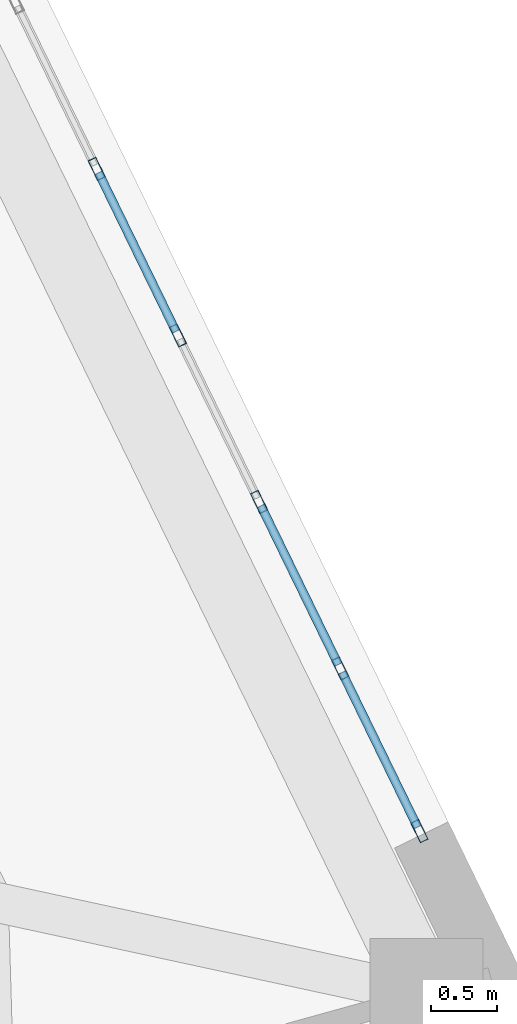
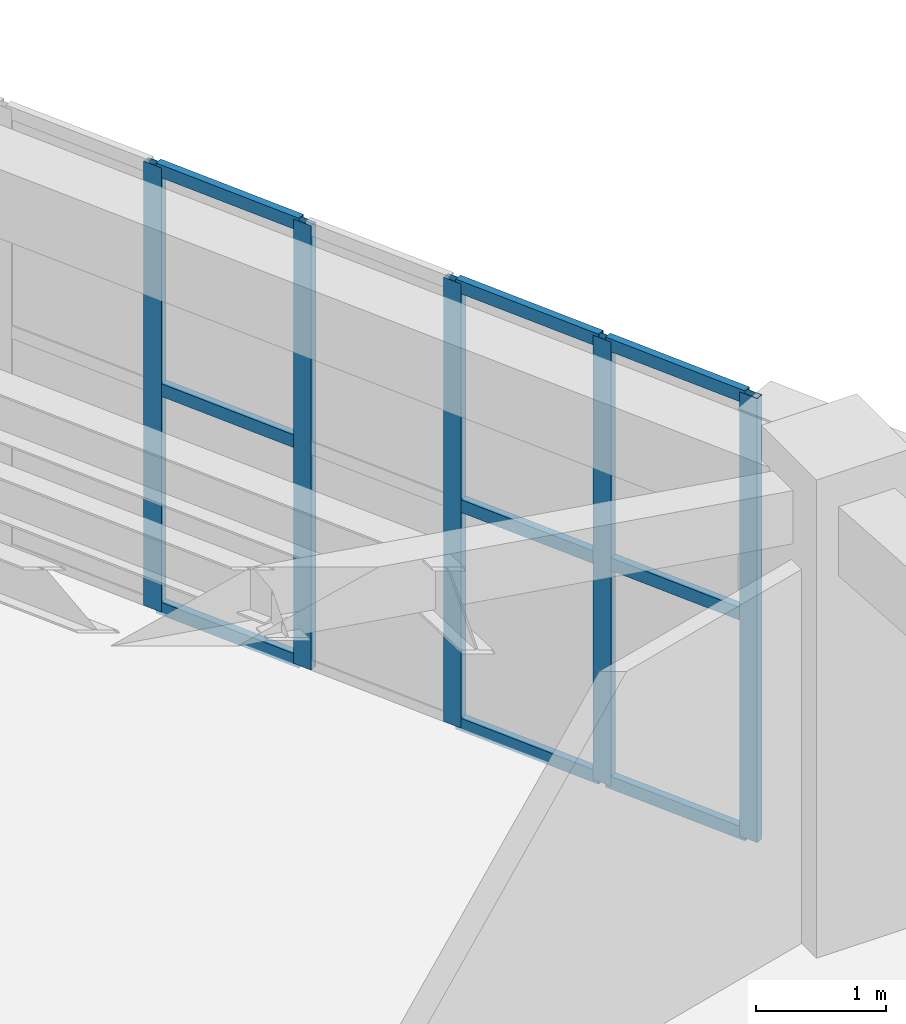
# One storey, part 6 of 15: 14 members, 1 element without a shape of its own.
"""IFC4 building model written with IfcOpenShell, lengths in metres."""

from ifc_helpers import new_model, si_unit, direction, frame, origin, origin_2d, place, context, subcontext, project, spatial, hollow_rectangle, extrude, material, layer, layer_set, material_profile, profile_set, type_object, element, aggregate, save


model = new_model("IFC4")

# Units and contexts
model_context = context("Model", 3, precision=1e-05, world=origin(), true_north=direction((0.0, 1.0)))
body_context = subcontext(model_context, "Body", "Model", "MODEL_VIEW")
ifc_project = project(units=[si_unit("LENGTHUNIT", "METRE"), si_unit("AREAUNIT", "SQUARE_METRE"), si_unit("VOLUMEUNIT", "CUBIC_METRE"), si_unit("PLANEANGLEUNIT", "RADIAN"), si_unit("MASSUNIT", "GRAM", prefix="KILO")], contexts=[model_context])

# Site, building, storey
site_placement = place(None, origin())
site = spatial("IfcSite", under=ifc_project, at=site_placement, CompositionType="ELEMENT")
building_placement = place(site_placement, origin())
building = spatial("IfcBuilding", under=site, at=building_placement, Name="Kilnhurst Terrace Hotel", CompositionType="ELEMENT")
storey_placement = place(building_placement, frame((0.0, 0.0, 293.10009765625)))
storey = spatial("IfcBuildingStorey", under=building, at=storey_placement, Name="L73", CompositionType="ELEMENT", Elevation=293.10009765625)

# Curtain wall, members
ifc_material_1 = material(Name="Anodized Aluminium Alloy 6063-T6 and Low-E Glass", Category="aluminium")
ifc_layer = layer(ifc_material_1, 0.219970703125, Name="Anodized Aluminium Alloy 6063-T6 and Low-E Glass")
ifc_layer_set = layer_set([ifc_layer], Name="Anodized Aluminium Alloy 6063-T6 and Low-E Glass")
curtain_wall_type = type_object("IfcCurtainWallType", Name="CW-PORTAL-L72", PredefinedType="NOTDEFINED", material=ifc_layer_set)
curtain_wall_placement = place(storey_placement, origin())
curtain_wall = element("IfcCurtainWall", 1, at=curtain_wall_placement, inside=storey, type_object=curtain_wall_type, Name="L73 Curtain Wall CW-L73-F3-1", PredefinedType="NOTDEFINED")
ifc_material_2 = material(Name="Extruded Aluminium Alloy 6063-T6", Category="aluminium")
ifc_material_profile_1 = material_profile(ifc_material_2, hollow_rectangle(XDim=0.06494140625, YDim=0.1650390625, WallThickness=0.00341796875, at=origin_2d()), Name="CWM65X165")
ifc_profile_set_1 = profile_set([ifc_material_profile_1], Name="Extruded Aluminium Alloy 6063-T6")
member_type_1 = type_object("IfcMemberType", Name="MEM-CWM65X165", PredefinedType="MULLION", material=ifc_profile_set_1)
member_1_placement = place(storey_placement, frame((19.1064453125, 6.53955078125, 0.0), z_axis=(0.0, 0.0, 1.0), x_axis=(-0.898911852101, -0.438129526683, 0.0)))
member_1 = element("IfcMember", 2, at=member_1_placement, type_object=member_type_1, Name="CWP-5 mullion 1", PredefinedType="MULLION", context=body_context, shape_type="SweptSolid", body=[
    extrude(hollow_rectangle(XDim=0.06494140625, YDim=0.1650390625, WallThickness=0.00341796875, at=origin_2d()), origin(), (0.0, 0.0, 1.0), 4.179931640625),
])
member_2_placement = place(storey_placement, frame((18.51025390625, 7.762939453125, 0.0), z_axis=(0.0, 0.0, 1.0), x_axis=(-0.898911852101, -0.438129526683, 0.0)))
member_2 = element("IfcMember", 3, at=member_2_placement, type_object=member_type_1, Name="CWP-5 mullion 2", PredefinedType="MULLION", context=body_context, shape_type="SweptSolid", body=[
    extrude(hollow_rectangle(XDim=0.06494140625, YDim=0.1650390625, WallThickness=0.00341796875, at=origin_2d()), origin(), (0.0, 0.0, 1.0), 4.179931640625),
])
member_3_placement = place(storey_placement, frame((17.899658203125, 9.015625, 0.0), z_axis=(0.0, 0.0, 1.0), x_axis=(-0.898911852101, -0.438129526683, 0.0)))
member_3 = element("IfcMember", 4, at=member_3_placement, type_object=member_type_1, Name="CWP-5 mullion 3", PredefinedType="MULLION", context=body_context, shape_type="SweptSolid", body=[
    extrude(hollow_rectangle(XDim=0.06494140625, YDim=0.1650390625, WallThickness=0.00341796875, at=origin_2d()), origin(), (0.0, 0.0, 1.0), 4.179931640625),
])
member_4_placement = place(storey_placement, frame((17.289306640625, 10.268310546875, 0.0), z_axis=(0.0, 0.0, 1.0), x_axis=(-0.898911852101, -0.438129526683, 0.0)))
member_4 = element("IfcMember", 5, at=member_4_placement, type_object=member_type_1, Name="CWP-5 mullion 4", PredefinedType="MULLION", context=body_context, shape_type="SweptSolid", body=[
    extrude(hollow_rectangle(XDim=0.06494140625, YDim=0.1650390625, WallThickness=0.00341796875, at=origin_2d()), origin(), (0.0, 0.0, 1.0), 4.179931640625),
])
member_5_placement = place(storey_placement, frame((16.6787109375, 11.520751953125, 0.0), z_axis=(0.0, 0.0, 1.0), x_axis=(-0.898911852101, -0.438129526683, 0.0)))
member_5 = element("IfcMember", 6, at=member_5_placement, type_object=member_type_1, Name="CWP-5 mullion 5", PredefinedType="MULLION", context=body_context, shape_type="SweptSolid", body=[
    extrude(hollow_rectangle(XDim=0.06494140625, YDim=0.1650390625, WallThickness=0.00341796875, at=origin_2d()), origin(), (0.0, 0.0, 1.0), 4.179931640625),
])
ifc_material_profile_2 = material_profile(ifc_material_2, hollow_rectangle(XDim=0.06494140625, YDim=0.1201171875, WallThickness=0.00341796875, at=origin_2d()), Name="CWT65X120")
ifc_profile_set_2 = profile_set([ifc_material_profile_2], Name="Extruded Aluminium Alloy 6063-T6")
member_type_2 = type_object("IfcMemberType", Name="MEM-CWT65X120", PredefinedType="USERDEFINED", material=ifc_profile_set_2)
member_6_placement = place(storey_placement, frame((19.09228515625, 6.56884765625, 0.032470703125), z_axis=(-0.438223177991, 0.898866200428, 0.0), x_axis=(-0.898866200428, -0.438223177991, 0.0)))
member_6 = element("IfcMember", 7, at=member_6_placement, type_object=member_type_2, Name="CWP-5 transom 1.1", ObjectType="TRANSOM", PredefinedType="USERDEFINED", context=body_context, shape_type="SweptSolid", body=[
    extrude(hollow_rectangle(XDim=0.06494140625, YDim=0.1201171875, WallThickness=0.00341796875, at=origin_2d()), origin(), (0.0, 0.0, 1.0), 1.2958984375),
])
member_7_placement = place(storey_placement, frame((19.09228515625, 6.56884765625, 2.08984375), z_axis=(-0.438223177991, 0.898866200428, 0.0), x_axis=(-0.898866200428, -0.438223177991, 0.0)))
member_7 = element("IfcMember", 8, at=member_7_placement, type_object=member_type_2, Name="CWP-5 transom 1.2", ObjectType="TRANSOM", PredefinedType="USERDEFINED", context=body_context, shape_type="SweptSolid", body=[
    extrude(hollow_rectangle(XDim=0.06494140625, YDim=0.1201171875, WallThickness=0.00341796875, at=origin_2d()), origin(), (0.0, 0.0, 1.0), 1.2958984375),
])
member_8_placement = place(storey_placement, frame((19.09228515625, 6.56884765625, 4.1474609375), z_axis=(-0.438223177991, 0.898866200428, 0.0), x_axis=(-0.898866200428, -0.438223177991, 0.0)))
member_8 = element("IfcMember", 9, at=member_8_placement, type_object=member_type_2, Name="CWP-5 transom 1.3", ObjectType="TRANSOM", PredefinedType="USERDEFINED", context=body_context, shape_type="SweptSolid", body=[
    extrude(hollow_rectangle(XDim=0.06494140625, YDim=0.1201171875, WallThickness=0.00341796875, at=origin_2d()), origin(), (0.0, 0.0, 1.0), 1.2958984375),
])
member_9_placement = place(storey_placement, frame((18.49609375, 7.792236328125, 0.032470703125), z_axis=(-0.43814841658, 0.898902644922, 0.0), x_axis=(-0.898902644922, -0.43814841658, 0.0)))
member_9 = element("IfcMember", 10, at=member_9_placement, type_object=member_type_2, Name="CWP-5 transom 2.1", ObjectType="TRANSOM", PredefinedType="USERDEFINED", context=body_context, shape_type="SweptSolid", body=[
    extrude(hollow_rectangle(XDim=0.06494140625, YDim=0.1201171875, WallThickness=0.00341796875, at=origin_2d()), origin(), (0.0, 0.0, 1.0), 1.328369140625),
])
member_10_placement = place(storey_placement, frame((18.49609375, 7.792236328125, 2.08984375), z_axis=(-0.43814841658, 0.898902644922, 0.0), x_axis=(-0.898902644922, -0.43814841658, 0.0)))
member_10 = element("IfcMember", 11, at=member_10_placement, type_object=member_type_2, Name="CWP-5 transom 2.2", ObjectType="TRANSOM", PredefinedType="USERDEFINED", context=body_context, shape_type="SweptSolid", body=[
    extrude(hollow_rectangle(XDim=0.06494140625, YDim=0.1201171875, WallThickness=0.00341796875, at=origin_2d()), origin(), (0.0, 0.0, 1.0), 1.328369140625),
])
member_11_placement = place(storey_placement, frame((18.49609375, 7.792236328125, 4.1474609375), z_axis=(-0.43814841658, 0.898902644922, 0.0), x_axis=(-0.898902644922, -0.43814841658, 0.0)))
member_11 = element("IfcMember", 12, at=member_11_placement, type_object=member_type_2, Name="CWP-5 transom 2.3", ObjectType="TRANSOM", PredefinedType="USERDEFINED", context=body_context, shape_type="SweptSolid", body=[
    extrude(hollow_rectangle(XDim=0.06494140625, YDim=0.1201171875, WallThickness=0.00341796875, at=origin_2d()), origin(), (0.0, 0.0, 1.0), 1.328369140625),
])
member_12_placement = place(storey_placement, frame((17.27490234375, 10.29736328125, 0.032470703125), z_axis=(-0.438076042063, 0.898937918529, 0.0), x_axis=(-0.898937918529, -0.438076042063, 0.0)))
member_12 = element("IfcMember", 13, at=member_12_placement, type_object=member_type_2, Name="CWP-5 transom 4.1", ObjectType="TRANSOM", PredefinedType="USERDEFINED", context=body_context, shape_type="SweptSolid", body=[
    extrude(hollow_rectangle(XDim=0.06494140625, YDim=0.1201171875, WallThickness=0.00341796875, at=origin_2d()), origin(), (0.0, 0.0, 1.0), 1.32861328125),
])
member_13_placement = place(storey_placement, frame((17.27490234375, 10.29736328125, 2.08984375), z_axis=(-0.438076042063, 0.898937918529, 0.0), x_axis=(-0.898937918529, -0.438076042063, 0.0)))
member_13 = element("IfcMember", 14, at=member_13_placement, type_object=member_type_2, Name="CWP-5 transom 4.2", ObjectType="TRANSOM", PredefinedType="USERDEFINED", context=body_context, shape_type="SweptSolid", body=[
    extrude(hollow_rectangle(XDim=0.06494140625, YDim=0.1201171875, WallThickness=0.00341796875, at=origin_2d()), origin(), (0.0, 0.0, 1.0), 1.32861328125),
])
member_14_placement = place(storey_placement, frame((17.27490234375, 10.29736328125, 4.1474609375), z_axis=(-0.438076042063, 0.898937918529, 0.0), x_axis=(-0.898937918529, -0.438076042063, 0.0)))
member_14 = element("IfcMember", 15, at=member_14_placement, type_object=member_type_2, Name="CWP-5 transom 4.3", ObjectType="TRANSOM", PredefinedType="USERDEFINED", context=body_context, shape_type="SweptSolid", body=[
    extrude(hollow_rectangle(XDim=0.06494140625, YDim=0.1201171875, WallThickness=0.00341796875, at=origin_2d()), origin(), (0.0, 0.0, 1.0), 1.32861328125),
])
aggregate(curtain_wall, [member_1, member_2, member_3, member_4, member_5, member_6, member_7, member_8, member_9, member_10, member_11, member_12, member_13, member_14])

save(model, "model.ifc")
